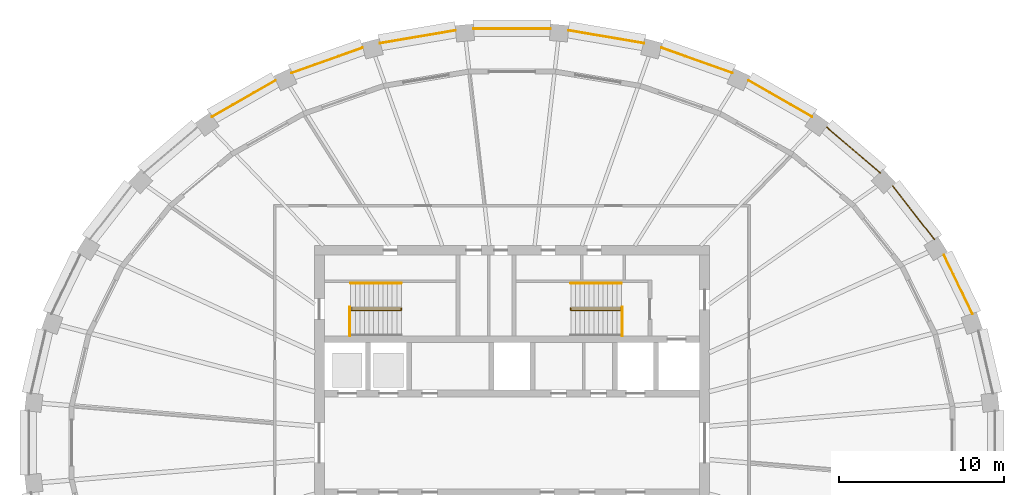
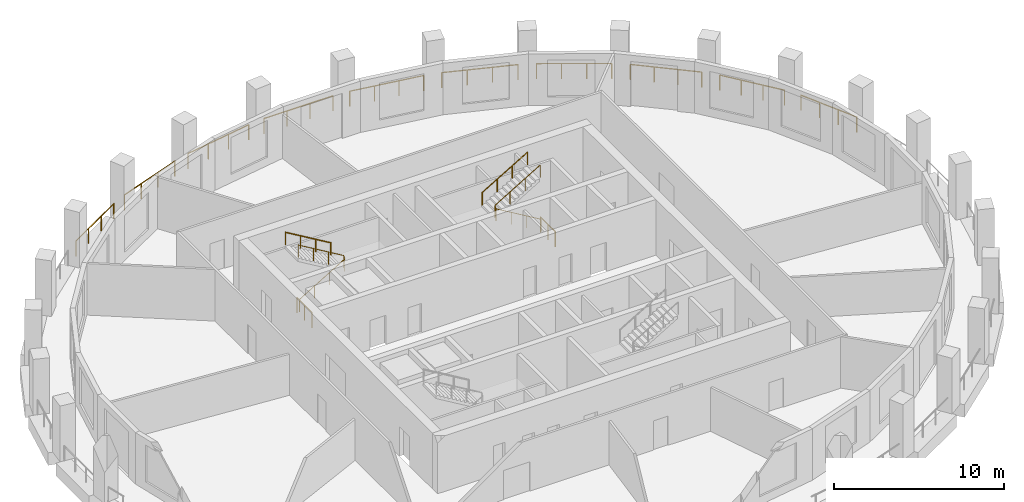
# One storey, part 9 of 10: 16 railings.
"""IFC4 building model written with IfcOpenShell, lengths in metres."""

import ifcopenshell
import ifcopenshell.guid

model = None  # the IFC model being written
_history = None  # IfcOwnerHistory: only IFC2X3 demands one
_inside = {}  # id of a spatial element -> (the spatial element, [elements in it])
_under = {}  # id of a project, library or spatial element -> (it, [spatial elements below it])
_declared = {}  # id of a project -> (the project, [libraries it declares])
_typed = {}  # id of a type object -> (the type object, [elements of that type])
_made_of = {}  # id of a material, layer set ... -> (it, [elements and type objects made of it])


def new_model(schema):
    """Start an empty IFC model of exactly this schema.

    Asked for "IFC4X3", IfcOpenShell would pick the latest addendum, in which some entities
    have other attributes; the version numbers below select the first issue.
    IFC2X3 requires an IfcOwnerHistory on every rooted entity: one is made here for all.
    """
    global model, _history
    if schema == "IFC4X3":
        model = ifcopenshell.file(schema_version=(4, 3, 0, 0))
    else:
        model = ifcopenshell.file(schema=schema)
    _inside.clear()
    _under.clear()
    _declared.clear()
    _typed.clear()
    _made_of.clear()
    _history = None
    if model.schema == "IFC2X3":
        org = make("IfcOrganization", Name="unknown")
        user = make(
            "IfcPersonAndOrganization",
            ThePerson=make("IfcPerson", FamilyName="unknown"),
            TheOrganization=org,
        )
        app = make(
            "IfcApplication",
            ApplicationDeveloper=org,
            Version="unknown",
            ApplicationFullName="unknown",
            ApplicationIdentifier="unknown",
        )
        _history = make(
            "IfcOwnerHistory",
            OwningUser=user,
            OwningApplication=app,
            ChangeAction="ADDED",
            CreationDate=0,
        )
    return model


def make(cls, **values):
    """One entity of the class cls with the attributes given. An attribute that is None is left unset."""
    return model.create_entity(
        cls, **{name: value for name, value in values.items() if value is not None}
    )


def rooted(cls, **values):
    """An entity with a GlobalId (a new one), such as an element, a storey or a relation."""
    return make(cls, GlobalId=ifcopenshell.guid.new(), OwnerHistory=_history, **values)


def si_unit(unit_type, name, prefix=None):
    """IfcSIUnit, for example si_unit("LENGTHUNIT", "METRE", prefix="MILLI")."""
    return make("IfcSIUnit", UnitType=unit_type, Prefix=prefix, Name=name)


def assignment(units):
    """IfcUnitAssignment: the units of a project."""
    return None if units is None else make("IfcUnitAssignment", Units=units)


def point(xyz):
    """IfcCartesianPoint."""
    return None if xyz is None else make("IfcCartesianPoint", Coordinates=xyz)


def direction(xyz):
    """IfcDirection."""
    return None if xyz is None else make("IfcDirection", DirectionRatios=xyz)


def frame(location, z_axis=None, x_axis=None):
    """IfcAxis2Placement3D, a coordinate frame: its origin and axes. An axis left out is left unset."""
    return make(
        "IfcAxis2Placement3D",
        Location=point(location),
        Axis=direction(z_axis),
        RefDirection=direction(x_axis),
    )


def frame_2d(location, x_axis=None):
    """IfcAxis2Placement2D, a coordinate frame in the plane: its origin and x axis."""
    return make(
        "IfcAxis2Placement2D", Location=point(location), RefDirection=direction(x_axis)
    )


def origin():
    """The frame at (0, 0, 0) with its axes left unset."""
    return frame((0.0, 0.0, 0.0))


def origin_2d():
    """The frame at (0, 0) in the plane with its x axis left unset."""
    return frame_2d((0.0, 0.0))


def place(relative_to, where):
    """IfcLocalPlacement: puts the frame where relative to a parent placement (None: the world)."""
    return make(
        "IfcLocalPlacement", PlacementRelTo=relative_to, RelativePlacement=where
    )


def context(
    kind, dimensions, precision=None, world=None, true_north=None, identifier=None
):
    """IfcGeometricRepresentationContext, for example the 3D "Model" context."""
    return make(
        "IfcGeometricRepresentationContext",
        ContextIdentifier=identifier,
        ContextType=kind,
        CoordinateSpaceDimension=dimensions,
        Precision=precision,
        WorldCoordinateSystem=world,
        TrueNorth=true_north,
    )


def subcontext(parent, identifier, kind, view, scale=None):
    """IfcGeometricRepresentationSubContext, for example "Body" below "Model"."""
    return make(
        "IfcGeometricRepresentationSubContext",
        ContextIdentifier=identifier,
        ContextType=kind,
        ParentContext=parent,
        TargetScale=scale,
        TargetView=view,
    )


def project(units=None, contexts=None):
    """IfcProject with its units and contexts."""
    return rooted(
        "IfcProject",
        Name="project",
        RepresentationContexts=contexts,
        UnitsInContext=assignment(units),
    )


def spatial(cls, under=None, at=None, **own):
    """A site, building, storey or space (cls), placed at a placement, below another one or the project."""
    s = rooted(cls, ObjectPlacement=at, **own)
    if under is not None:
        _under.setdefault(under.id(), (under, []))[1].append(s)
    return s


def profile(cls, at=None, kind="AREA", **sizes):
    """A parametric profile (cls). Its sizes go by their IFC names, for example OverallWidth=200.0."""
    return make(cls, ProfileType=kind, Position=at, **sizes)


def circle(**sizes):
    """IfcCircleProfileDef."""
    return profile("IfcCircleProfileDef", **sizes)


def extrude(swept, where, along, depth):
    """IfcExtrudedAreaSolid: the profile swept, set in the frame where, extruded along a direction by depth."""
    return make(
        "IfcExtrudedAreaSolid",
        SweptArea=swept,
        Position=where,
        ExtrudedDirection=direction(along),
        Depth=depth,
    )


def shape(context_of_items, identifier, shape_type, items):
    """IfcShapeRepresentation: the items that make up one representation, for example the "Body"."""
    return make(
        "IfcShapeRepresentation",
        ContextOfItems=context_of_items,
        RepresentationIdentifier=identifier,
        RepresentationType=shape_type,
        Items=items,
    )


def material(Name=None, Category=None):
    """IfcMaterial."""
    return make("IfcMaterial", Name=Name, Category=Category)


def made_of(thing, what):
    """Note that an element or type object is made of a material, layer set ...; save() writes the relation."""
    if what is not None:
        _made_of.setdefault(what.id(), (what, []))[1].append(thing)
    return thing


def type_object(cls, material=None, **own):
    """A type object (cls), such as IfcWallType, which elements share."""
    return made_of(rooted(cls, **own), material)


def element(
    cls,
    number,
    at=None,
    inside=None,
    cuts=None,
    type_object=None,
    material=None,
    context=None,
    identifier="Body",
    shape_type=None,
    held_by="IfcProductDefinitionShape",
    body=None,
    shapes=None,
    **own,
):
    """One element of the class cls, such as IfcWall. Its Tag is "e" and its number.

    at: its placement. inside: the storey or other place that contains it. cuts: it is an
    opening in that element (IfcRelVoidsElement). A single representation is given by context,
    identifier, shape_type and body (its items); several are given by shapes. held_by: the class
    of the entity that holds the representations. save() writes the other relations.
    """
    e = rooted(cls, Tag="e%d" % number, ObjectPlacement=at, **own)
    if body is not None:
        shapes = [shape(context, identifier, shape_type, body)]
    if shapes is not None:
        e.Representation = make(held_by, Representations=shapes)
    if inside is not None:
        _inside.setdefault(inside.id(), (inside, []))[1].append(e)
    if cuts is not None:
        rooted(
            "IfcRelVoidsElement", RelatingBuildingElement=cuts, RelatedOpeningElement=e
        )
    if type_object is not None:
        _typed.setdefault(type_object.id(), (type_object, []))[1].append(e)
    return made_of(e, material)


def aggregate(whole, parts):
    """IfcRelAggregates: a whole, such as a stair, and the parts it consists of."""
    return rooted("IfcRelAggregates", RelatingObject=whole, RelatedObjects=parts)


def save(model, path):
    """Write the relations noted so far, then the file.

    IfcRelAggregates (storeys below a building ...), IfcRelContainedInSpatialStructure (elements
    in a storey), IfcRelDefinesByType, IfcRelAssociatesMaterial and IfcRelDeclares: one each for
    every whole, place, type object, material and project.
    """
    for whole, parts in _under.values():
        aggregate(whole, parts)
    for where, things in _inside.values():
        rooted(
            "IfcRelContainedInSpatialStructure",
            RelatedElements=things,
            RelatingStructure=where,
        )
    for kind, things in _typed.values():
        rooted("IfcRelDefinesByType", RelatedObjects=things, RelatingType=kind)
    for what, things in _made_of.values():
        rooted("IfcRelAssociatesMaterial", RelatedObjects=things, RelatingMaterial=what)
    for by, libraries in _declared.values():
        rooted("IfcRelDeclares", RelatingContext=by, RelatedDefinitions=libraries)
    model.write(path)


model = new_model("IFC4")

# Units and contexts
model_context = context("Model", 3, precision=1e-05, world=origin(), true_north=direction((0.0, 1.0)))
body_context = subcontext(model_context, "Body", "Model", "MODEL_VIEW")
ifc_project = project(units=[si_unit("LENGTHUNIT", "METRE"), si_unit("AREAUNIT", "SQUARE_METRE"), si_unit("VOLUMEUNIT", "CUBIC_METRE"), si_unit("PLANEANGLEUNIT", "RADIAN"), si_unit("MASSUNIT", "GRAM", prefix="KILO")], contexts=[model_context])

# Site, building, storey
site_placement = place(None, origin())
site = spatial("IfcSite", under=ifc_project, at=site_placement, CompositionType="ELEMENT")
building_placement = place(site_placement, origin())
building = spatial("IfcBuilding", under=site, at=building_placement, Name="Halqa Exchange Tower", CompositionType="ELEMENT")
storey_placement = place(building_placement, frame((0.0, 0.0, 288.300048828125)))
storey = spatial("IfcBuildingStorey", under=building, at=storey_placement, Name="L67", CompositionType="ELEMENT", Elevation=288.300048828125)

# Railings
ifc_material = material(Name="Stainless steel", Category="steel")
railing_type_1 = type_object("IfcRailingType", Name="Guard 1100 stainless steel", PredefinedType="GUARDRAIL", material=ifc_material)
railing_1_placement = place(storey_placement, frame((27.970703125, 7.830078125, 0.0)))
element("IfcRailing", 1, at=railing_1_placement, inside=storey, type_object=railing_type_1, Name="Loggia guard 2", PredefinedType="GUARDRAIL", context=body_context, shape_type="SweptSolid", body=[
    extrude(circle(Radius=0.02392578125, at=origin_2d()), frame((0.0, 0.0, 1.076171875), z_axis=(-0.435109029549, 0.900377772052, 0.0), x_axis=(-0.900377772052, -0.435109029549, 0.0)), (0.0, 0.0, 1.0), 3.982666015625),
    extrude(circle(Radius=0.02099609375, at=origin_2d()), origin(), (0.0, 0.0, 1.0), 1.052001953125),
    extrude(circle(Radius=0.02099609375, at=origin_2d()), frame((-0.57763671875, 1.1953125, 0.0)), (0.0, 0.0, 1.0), 1.052001953125),
    extrude(circle(Radius=0.02099609375, at=origin_2d()), frame((-1.1552734375, 2.390625, 0.0)), (0.0, 0.0, 1.0), 1.052001953125),
    extrude(circle(Radius=0.02099609375, at=origin_2d()), frame((-1.73291015625, 3.5859375, 0.0)), (0.0, 0.0, 1.0), 1.052001953125),
])
railing_2_placement = place(storey_placement, frame((25.660400390625, 12.34521484375, 0.0)))
element("IfcRailing", 2, at=railing_2_placement, inside=storey, type_object=railing_type_1, Name="Loggia guard 3", PredefinedType="GUARDRAIL", context=body_context, shape_type="SweptSolid", body=[
    extrude(circle(Radius=0.02392578125, at=origin_2d()), frame((0.0, 0.0, 1.076171875), z_axis=(-0.61485870665, 0.78863728726, 0.0), x_axis=(-0.78863728726, -0.61485870665, 0.0)), (0.0, 0.0, 1.0), 4.1220703125),
    extrude(circle(Radius=0.02099609375, at=origin_2d()), origin(), (0.0, 0.0, 1.0), 1.052001953125),
    extrude(circle(Radius=0.02099609375, at=origin_2d()), frame((-0.8447265625, 1.08349609375, 0.0)), (0.0, 0.0, 1.0), 1.052001953125),
    extrude(circle(Radius=0.02099609375, at=origin_2d()), frame((-1.689697265625, 2.167236328125, 0.0)), (0.0, 0.0, 1.0), 1.052001953125),
    extrude(circle(Radius=0.02099609375, at=origin_2d()), frame((-2.534423828125, 3.250732421875, 0.0)), (0.0, 0.0, 1.0), 1.052001953125),
])
railing_3_placement = place(storey_placement, frame((22.3701171875, 16.3876953125, 0.0)))
element("IfcRailing", 3, at=railing_3_placement, inside=storey, type_object=railing_type_1, Name="Loggia guard 4", PredefinedType="GUARDRAIL", context=body_context, shape_type="SweptSolid", body=[
    extrude(circle(Radius=0.02392578125, at=origin_2d()), frame((0.0, 0.0, 1.076171875), z_axis=(-0.759244528855, 0.650805458953, 0.0), x_axis=(-0.650805458953, -0.759244528855, 0.0)), (0.0, 0.0, 1.0), 4.2822265625),
    extrude(circle(Radius=0.02099609375, at=origin_2d()), origin(), (0.0, 0.0, 1.0), 1.052001953125),
    extrude(circle(Radius=0.02099609375, at=origin_2d()), frame((-1.083740234375, 0.928955078125, 0.0)), (0.0, 0.0, 1.0), 1.052001953125),
    extrude(circle(Radius=0.02099609375, at=origin_2d()), frame((-2.16748046875, 1.85791015625, 0.0)), (0.0, 0.0, 1.0), 1.052001953125),
    extrude(circle(Radius=0.02099609375, at=origin_2d()), frame((-3.251220703125, 2.786865234375, 0.0)), (0.0, 0.0, 1.0), 1.052001953125),
])
railing_4_placement = place(storey_placement, frame((18.22412109375, 19.805908203125, 0.0)))
element("IfcRailing", 4, at=railing_4_placement, inside=storey, type_object=railing_type_1, Name="Loggia guard 5", PredefinedType="GUARDRAIL", context=body_context, shape_type="SweptSolid", body=[
    extrude(circle(Radius=0.02392578125, at=origin_2d()), frame((0.0, 0.0, 1.076171875), z_axis=(-0.86776870097, 0.496968290353, 0.0), x_axis=(-0.496968290353, -0.86776870097, 0.0)), (0.0, 0.0, 1.0), 4.43701171875),
    extrude(circle(Radius=0.02099609375, at=origin_2d()), origin(), (0.0, 0.0, 1.0), 1.052001953125),
    extrude(circle(Radius=0.02099609375, at=origin_2d()), frame((-1.283447265625, 0.735107421875, 0.0)), (0.0, 0.0, 1.0), 1.052001953125),
    extrude(circle(Radius=0.02099609375, at=origin_2d()), frame((-2.56689453125, 1.469970703125, 0.0)), (0.0, 0.0, 1.0), 1.052001953125),
    extrude(circle(Radius=0.02099609375, at=origin_2d()), frame((-3.850341796875, 2.205078125, 0.0)), (0.0, 0.0, 1.0), 1.052001953125),
])
railing_5_placement = place(storey_placement, frame((13.378173828125, 22.468505859375, 0.0)))
element("IfcRailing", 5, at=railing_5_placement, inside=storey, type_object=railing_type_1, Name="Loggia guard 6", PredefinedType="GUARDRAIL", context=body_context, shape_type="SweptSolid", body=[
    extrude(circle(Radius=0.02392578125, at=origin_2d()), frame((0.0, 0.0, 1.076171875), z_axis=(-0.942382614632, 0.334537004888, 0.0), x_axis=(-0.334537004888, -0.942382614632, 0.0)), (0.0, 0.0, 1.0), 4.5654296875),
    extrude(circle(Radius=0.02099609375, at=origin_2d()), origin(), (0.0, 0.0, 1.0), 1.052001953125),
    extrude(circle(Radius=0.02099609375, at=origin_2d()), frame((-1.43408203125, 0.509033203125, 0.0)), (0.0, 0.0, 1.0), 1.052001953125),
    extrude(circle(Radius=0.02099609375, at=origin_2d()), frame((-2.868408203125, 1.018310546875, 0.0)), (0.0, 0.0, 1.0), 1.052001953125),
    extrude(circle(Radius=0.02099609375, at=origin_2d()), frame((-4.302490234375, 1.52734375, 0.0)), (0.0, 0.0, 1.0), 1.052001953125),
])
railing_6_placement = place(storey_placement, frame((8.01513671875, 24.2724609375, 0.0)))
element("IfcRailing", 6, at=railing_6_placement, inside=storey, type_object=railing_type_1, Name="Loggia guard 7", PredefinedType="GUARDRAIL", context=body_context, shape_type="SweptSolid", body=[
    extrude(circle(Radius=0.02392578125, at=origin_2d()), frame((0.0, 0.0, 1.076171875), z_axis=(-0.98578270437, 0.168025175987, 0.0), x_axis=(-0.168025175987, -0.98578270437, 0.0)), (0.0, 0.0, 1.0), 4.649658203125),
    extrude(circle(Radius=0.02099609375, at=origin_2d()), origin(), (0.0, 0.0, 1.0), 1.052001953125),
    extrude(circle(Radius=0.02099609375, at=origin_2d()), frame((-1.52783203125, 0.260498046875, 0.0)), (0.0, 0.0, 1.0), 1.052001953125),
    extrude(circle(Radius=0.02099609375, at=origin_2d()), frame((-3.0556640625, 0.520751953125, 0.0)), (0.0, 0.0, 1.0), 1.052001953125),
    extrude(circle(Radius=0.02099609375, at=origin_2d()), frame((-4.58349609375, 0.78125, 0.0)), (0.0, 0.0, 1.0), 1.052001953125),
])
railing_7_placement = place(storey_placement, frame((2.339599609375, 25.146240234375, 0.0)))
element("IfcRailing", 7, at=railing_7_placement, inside=storey, type_object=railing_type_1, Name="Loggia guard 8", PredefinedType="GUARDRAIL", context=body_context, shape_type="SweptSolid", body=[
    extrude(circle(Radius=0.02392578125, at=origin_2d()), frame((0.0, 0.0, 1.076171875), z_axis=(-1.0, 0.0, 0.0), x_axis=(0.0, -1.0, 0.0)), (0.0, 0.0, 1.0), 4.67919921875),
    extrude(circle(Radius=0.02099609375, at=origin_2d()), origin(), (0.0, 0.0, 1.0), 1.052001953125),
    extrude(circle(Radius=0.02099609375, at=origin_2d()), frame((-1.559814453125, 0.0, 0.0)), (0.0, 0.0, 1.0), 1.052001953125),
    extrude(circle(Radius=0.02099609375, at=origin_2d()), frame((-3.119384765625, 0.0, 0.0)), (0.0, 0.0, 1.0), 1.052001953125),
    extrude(circle(Radius=0.02099609375, at=origin_2d()), frame((-4.67919921875, 0.0, 0.0)), (0.0, 0.0, 1.0), 1.052001953125),
])
railing_8_placement = place(storey_placement, frame((-3.431640625, 25.0537109375, 0.0)))
element("IfcRailing", 8, at=railing_8_placement, inside=storey, type_object=railing_type_1, Name="Loggia guard 9", PredefinedType="GUARDRAIL", context=body_context, shape_type="SweptSolid", body=[
    extrude(circle(Radius=0.02392578125, at=origin_2d()), frame((0.0, 0.0, 1.076171875), z_axis=(-0.98578270437, -0.168025175987, 0.0), x_axis=(0.168025175987, -0.98578270437, 0.0)), (0.0, 0.0, 1.0), 4.649658203125),
    extrude(circle(Radius=0.02099609375, at=origin_2d()), origin(), (0.0, 0.0, 1.0), 1.052001953125),
    extrude(circle(Radius=0.02099609375, at=origin_2d()), frame((-1.52783203125, -0.260498046875, 0.0)), (0.0, 0.0, 1.0), 1.052001953125),
    extrude(circle(Radius=0.02099609375, at=origin_2d()), frame((-3.0556640625, -0.520751953125, 0.0)), (0.0, 0.0, 1.0), 1.052001953125),
    extrude(circle(Radius=0.02099609375, at=origin_2d()), frame((-4.58349609375, -0.78125, 0.0)), (0.0, 0.0, 1.0), 1.052001953125),
])
railing_9_placement = place(storey_placement, frame((-9.07568359375, 23.995849609375, 0.0)))
element("IfcRailing", 9, at=railing_9_placement, inside=storey, type_object=railing_type_1, Name="Loggia guard 10", PredefinedType="GUARDRAIL", context=body_context, shape_type="SweptSolid", body=[
    extrude(circle(Radius=0.02392578125, at=origin_2d()), frame((0.0, 0.0, 1.076171875), z_axis=(-0.942382614632, -0.334537004888, 0.0), x_axis=(0.334537004888, -0.942382614632, 0.0)), (0.0, 0.0, 1.0), 4.5654296875),
    extrude(circle(Radius=0.02099609375, at=origin_2d()), origin(), (0.0, 0.0, 1.0), 1.052001953125),
    extrude(circle(Radius=0.02099609375, at=origin_2d()), frame((-1.43408203125, -0.509033203125, 0.0)), (0.0, 0.0, 1.0), 1.052001953125),
    extrude(circle(Radius=0.02099609375, at=origin_2d()), frame((-2.868408203125, -1.018310546875, 0.0)), (0.0, 0.0, 1.0), 1.052001953125),
    extrude(circle(Radius=0.02099609375, at=origin_2d()), frame((-4.302490234375, -1.52734375, 0.0)), (0.0, 0.0, 1.0), 1.052001953125),
])
railing_10_placement = place(storey_placement, frame((-14.373779296875, 22.010986328125, 0.0)))
element("IfcRailing", 10, at=railing_10_placement, inside=storey, type_object=railing_type_1, Name="Loggia guard 11", PredefinedType="GUARDRAIL", context=body_context, shape_type="SweptSolid", body=[
    extrude(circle(Radius=0.02392578125, at=origin_2d()), frame((0.0, 0.0, 1.076171875), z_axis=(-0.86776870097, -0.496968290353, 0.0), x_axis=(0.496968290353, -0.86776870097, 0.0)), (0.0, 0.0, 1.0), 4.43701171875),
    extrude(circle(Radius=0.02099609375, at=origin_2d()), origin(), (0.0, 0.0, 1.0), 1.052001953125),
    extrude(circle(Radius=0.02099609375, at=origin_2d()), frame((-1.283447265625, -0.735107421875, 0.0)), (0.0, 0.0, 1.0), 1.052001953125),
    extrude(circle(Radius=0.02099609375, at=origin_2d()), frame((-2.56689453125, -1.469970703125, 0.0)), (0.0, 0.0, 1.0), 1.052001953125),
    extrude(circle(Radius=0.02099609375, at=origin_2d()), frame((-3.850341796875, -2.205078125, 0.0)), (0.0, 0.0, 1.0), 1.052001953125),
])
railing_type_2 = type_object("IfcRailingType", Name="Stair handrail 900", PredefinedType="HANDRAIL", material=ifc_material)
railing_11_placement = place(storey_placement, frame((-9.800048828125, 8.06005859375, 0.166748046875)))
element("IfcRailing", 11, at=railing_11_placement, inside=storey, type_object=railing_type_2, Name="Handrail ST1.1", PredefinedType="HANDRAIL", context=body_context, shape_type="SweptSolid", body=[
    extrude(circle(Radius=0.02392578125, at=origin_2d()), frame((0.0, 0.0, 0.8759765625), z_axis=(0.859308565015, 0.0, 0.511457515432), x_axis=(0.0, 1.0, 0.0)), (0.0, 0.0, 1.0), 3.58447265625),
    extrude(circle(Radius=0.02392578125, at=origin_2d()), frame((3.080078125, 0.0, 2.708984375), z_axis=(0.0, 0.614500226555, 0.788916644243), x_axis=(-1.0, 0.0, 0.0)), (0.0, 0.0, 1.0), 0.21142578125),
    extrude(circle(Radius=0.02392578125, at=origin_2d()), frame((3.080078125, 0.1298828125, 2.8759765625), z_axis=(-0.859308565015, 0.0, 0.511457515432), x_axis=(0.0, -1.0, 0.0)), (0.0, 0.0, 1.0), 3.58447265625),
    extrude(circle(Radius=0.02099609375, at=origin_2d()), origin(), (0.0, 0.0, 1.0), 0.851806640625),
    extrude(circle(Radius=0.02099609375, at=origin_2d()), frame((1.026611328125, 0.0, 0.611083984375)), (0.0, 0.0, 1.0), 0.851806640625),
    extrude(circle(Radius=0.02099609375, at=origin_2d()), frame((2.053466796875, 0.0, 1.22216796875)), (0.0, 0.0, 1.0), 0.851806640625),
    extrude(circle(Radius=0.02099609375, at=origin_2d()), frame((3.080078125, 0.0, 1.833251953125)), (0.0, 0.0, 1.0), 0.851806640625),
    extrude(circle(Radius=0.02099609375, at=origin_2d()), frame((3.080078125, 0.1298828125, 2.0)), (0.0, 0.0, 1.0), 0.851806640625),
    extrude(circle(Radius=0.02099609375, at=origin_2d()), frame((2.053466796875, 0.1298828125, 2.611083984375)), (0.0, 0.0, 1.0), 0.851806640625),
    extrude(circle(Radius=0.02099609375, at=origin_2d()), frame((1.026611328125, 0.1298828125, 3.22216796875)), (0.0, 0.0, 1.0), 0.851806640625),
    extrude(circle(Radius=0.02099609375, at=origin_2d()), frame((0.0, 0.1298828125, 3.833251953125)), (0.0, 0.0, 1.0), 0.851806640625),
])
railing_12_placement = place(storey_placement, frame((-6.719970703125, 9.699951171875, 2.166748046875)))
element("IfcRailing", 12, at=railing_12_placement, inside=storey, type_object=railing_type_2, Name="Handrail ST1.3", PredefinedType="HANDRAIL", context=body_context, shape_type="SweptSolid", body=[
    extrude(circle(Radius=0.02392578125, at=origin_2d()), frame((0.0, 0.0, 0.8759765625), z_axis=(-0.859308565015, 0.0, 0.511457515432), x_axis=(0.0, -1.0, 0.0)), (0.0, 0.0, 1.0), 3.58447265625),
    extrude(circle(Radius=0.02099609375, at=origin_2d()), origin(), (0.0, 0.0, 1.0), 0.851806640625),
    extrude(circle(Radius=0.02099609375, at=origin_2d()), frame((-1.026611328125, 0.0, 0.611083984375)), (0.0, 0.0, 1.0), 0.851806640625),
    extrude(circle(Radius=0.02099609375, at=origin_2d()), frame((-2.053466796875, 0.0, 1.22216796875)), (0.0, 0.0, 1.0), 0.851806640625),
    extrude(circle(Radius=0.02099609375, at=origin_2d()), frame((-3.080078125, 0.0, 1.833251953125)), (0.0, 0.0, 1.0), 0.851806640625),
])
railing_13_placement = place(storey_placement, frame((6.64990234375, 8.06005859375, 0.166748046875)))
element("IfcRailing", 13, at=railing_13_placement, inside=storey, type_object=railing_type_2, Name="Handrail ST2.1", PredefinedType="HANDRAIL", context=body_context, shape_type="SweptSolid", body=[
    extrude(circle(Radius=0.02392578125, at=origin_2d()), frame((0.0, 0.0, 0.8759765625), z_axis=(-0.859290745958, 0.0, 0.51148745235), x_axis=(0.0, -1.0, 0.0)), (0.0, 0.0, 1.0), 3.584228515625),
    extrude(circle(Radius=0.02392578125, at=origin_2d()), frame((-3.079833984375, 0.0, 2.708984375), z_axis=(0.0, 0.614500226555, 0.788916644243), x_axis=(-1.0, 0.0, 0.0)), (0.0, 0.0, 1.0), 0.21142578125),
    extrude(circle(Radius=0.02392578125, at=origin_2d()), frame((-3.079833984375, 0.1298828125, 2.8759765625), z_axis=(0.859290745958, 0.0, 0.51148745235), x_axis=(0.0, 1.0, 0.0)), (0.0, 0.0, 1.0), 3.584228515625),
    extrude(circle(Radius=0.02099609375, at=origin_2d()), origin(), (0.0, 0.0, 1.0), 0.851806640625),
    extrude(circle(Radius=0.02099609375, at=origin_2d()), frame((-1.026611328125, 0.0, 0.611083984375)), (0.0, 0.0, 1.0), 0.851806640625),
    extrude(circle(Radius=0.02099609375, at=origin_2d()), frame((-2.05322265625, 0.0, 1.22216796875)), (0.0, 0.0, 1.0), 0.851806640625),
    extrude(circle(Radius=0.02099609375, at=origin_2d()), frame((-3.079833984375, 0.0, 1.833251953125)), (0.0, 0.0, 1.0), 0.851806640625),
    extrude(circle(Radius=0.02099609375, at=origin_2d()), frame((-3.079833984375, 0.1298828125, 2.0)), (0.0, 0.0, 1.0), 0.851806640625),
    extrude(circle(Radius=0.02099609375, at=origin_2d()), frame((-2.05322265625, 0.1298828125, 2.611083984375)), (0.0, 0.0, 1.0), 0.851806640625),
    extrude(circle(Radius=0.02099609375, at=origin_2d()), frame((-1.026611328125, 0.1298828125, 3.22216796875)), (0.0, 0.0, 1.0), 0.851806640625),
    extrude(circle(Radius=0.02099609375, at=origin_2d()), frame((0.0, 0.1298828125, 3.833251953125)), (0.0, 0.0, 1.0), 0.851806640625),
])
railing_14_placement = place(storey_placement, frame((3.570068359375, 9.699951171875, 2.166748046875)))
element("IfcRailing", 14, at=railing_14_placement, inside=storey, type_object=railing_type_2, Name="Handrail ST2.3", PredefinedType="HANDRAIL", context=body_context, shape_type="SweptSolid", body=[
    extrude(circle(Radius=0.02392578125, at=origin_2d()), frame((0.0, 0.0, 0.8759765625), z_axis=(0.859290745958, 0.0, 0.51148745235), x_axis=(0.0, 1.0, 0.0)), (0.0, 0.0, 1.0), 3.584228515625),
    extrude(circle(Radius=0.02099609375, at=origin_2d()), origin(), (0.0, 0.0, 1.0), 0.851806640625),
    extrude(circle(Radius=0.02099609375, at=origin_2d()), frame((1.026611328125, 0.0, 0.611083984375)), (0.0, 0.0, 1.0), 0.851806640625),
    extrude(circle(Radius=0.02099609375, at=origin_2d()), frame((2.05322265625, 0.0, 1.22216796875)), (0.0, 0.0, 1.0), 0.851806640625),
    extrude(circle(Radius=0.02099609375, at=origin_2d()), frame((3.079833984375, 0.0, 1.833251953125)), (0.0, 0.0, 1.0), 0.851806640625),
])
railing_type_3 = type_object("IfcRailingType", Name="Stair well guard 1100", PredefinedType="GUARDRAIL", material=ifc_material)
for number, where, name in (
    (15, (-9.85009765625, 6.5, 0.0), "Guard ST1 well"),
    (16, (6.699951171875, 6.5, 0.0), "Guard ST2 well"),
):
    element("IfcRailing", number, at=place(storey_placement, frame(where)), inside=storey, type_object=railing_type_3, Name=name, PredefinedType="GUARDRAIL", context=body_context, shape_type="SweptSolid", body=[
        extrude(circle(Radius=0.02392578125, at=origin_2d()), frame((0.0, 0.0, 1.076171875), z_axis=(0.0, 1.0, 0.0), x_axis=(-1.0, 0.0, 0.0)), (0.0, 0.0, 1.0), 1.75),
        extrude(circle(Radius=0.02099609375, at=origin_2d()), origin(), (0.0, 0.0, 1.0), 1.052001953125),
        extrude(circle(Radius=0.02099609375, at=origin_2d()), frame((0.0, 0.875, 0.0)), (0.0, 0.0, 1.0), 1.052001953125),
        extrude(circle(Radius=0.02099609375, at=origin_2d()), frame((0.0, 1.75, 0.0)), (0.0, 0.0, 1.0), 1.052001953125),
    ])

save(model, "model.ifc")
